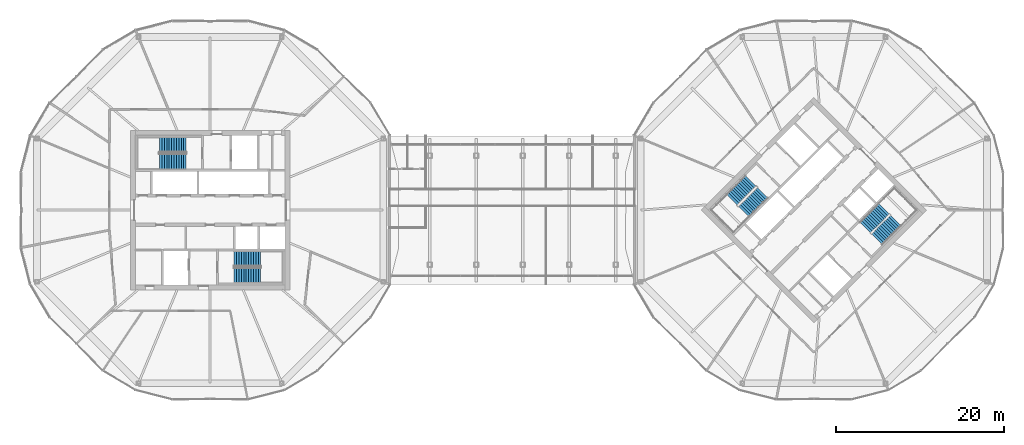
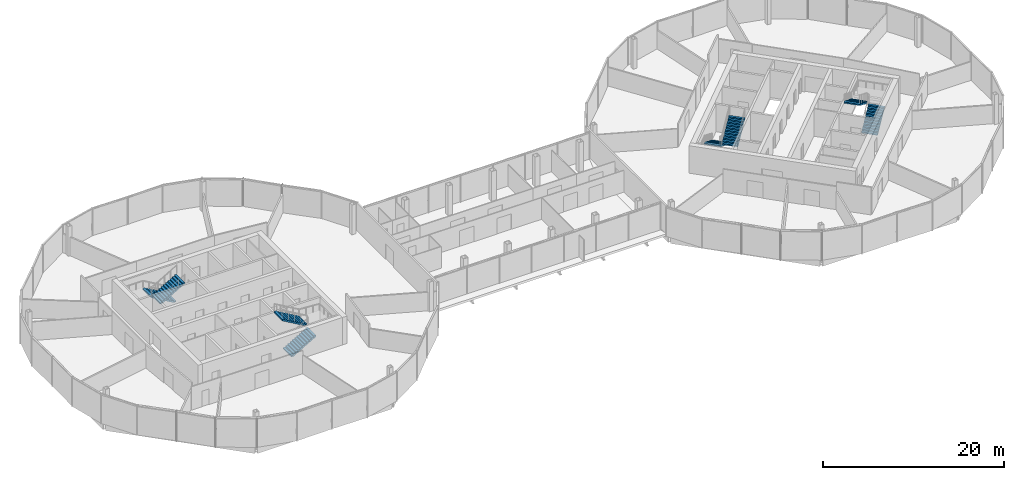
# One storey, part 24 of 25: 8 stair flights, 4 elements without a shape of their own.
"""IFC4 building model written with IfcOpenShell, lengths in metres."""

from ifc_helpers import new_model, si_unit, direction, frame, origin, place, context, subcontext, project, spatial, polyline, outline, extrude, material, type_object, element, aggregate, save


model = new_model("IFC4")

# Units and contexts
model_context = context("Model", 3, precision=1e-05, world=origin(), true_north=direction((0.0, 1.0)))
body_context = subcontext(model_context, "Body", "Model", "MODEL_VIEW")
ifc_project = project(units=[si_unit("LENGTHUNIT", "METRE"), si_unit("AREAUNIT", "SQUARE_METRE"), si_unit("VOLUMEUNIT", "CUBIC_METRE"), si_unit("PLANEANGLEUNIT", "RADIAN"), si_unit("MASSUNIT", "GRAM", prefix="KILO")], contexts=[model_context])

# Site, building, storey
site_placement = place(None, origin())
site = spatial("IfcSite", under=ifc_project, at=site_placement, CompositionType="ELEMENT")
building_placement = place(site_placement, origin())
building = spatial("IfcBuilding", under=site, at=building_placement, Name="Ogive Gate Towers", CompositionType="ELEMENT")
storey_placement = place(building_placement, frame((0.0, 0.0, 152.800048828125)))
storey = spatial("IfcBuildingStorey", under=building, at=storey_placement, Name="L36", CompositionType="ELEMENT", Elevation=152.800048828125)

# Stair, stair flights
ifc_material = material(Name="Concrete C40/50", Category="concrete")
stair_type = type_object("IfcStairType", Name="Escape stair 1840 wide", PredefinedType="HALF_TURN_STAIR", material=ifc_material)
stair_1_placement = place(storey_placement, origin())
stair_1 = element("IfcStair", 1, at=stair_1_placement, inside=storey, type_object=stair_type, Name="L36 Escape stair 1", PredefinedType="HALF_TURN_STAIR")
stair_flight_type = type_object("IfcStairFlightType", Name="Stair flight 1840 wide", PredefinedType="STRAIGHT", material=ifc_material)
stair_flight_1_placement = place(storey_placement, frame((-38.864990234375, 7.780029296875, 0.0), z_axis=(0.0, 0.0, 1.0), x_axis=(-1.0, 0.0, 0.0)))
stair_flight_1 = element("IfcStairFlight", 2, at=stair_flight_1_placement, type_object=stair_flight_type, Name="ST1 flight 1", NumberOfRisers=12, NumberOfTreads=11, PredefinedType="STRAIGHT", RiserHeight=0.166666667, TreadLength=0.2875, context=body_context, shape_type="SweptSolid", body=[
    extrude(outline(polyline([(0.0, 0.0), (0.0, 0.166748046875), (0.28759765625, 0.166748046875), (0.28759765625, 0.333251953125), (0.574951171875, 0.333251953125), (0.574951171875, 0.5), (0.862548828125, 0.5), (0.862548828125, 0.666748046875), (1.14990234375, 0.666748046875), (1.14990234375, 0.833251953125), (1.4375, 0.833251953125), (1.4375, 1.0), (1.72509765625, 1.0), (1.72509765625, 1.166748046875), (2.012451171875, 1.166748046875), (2.012451171875, 1.333251953125), (2.300048828125, 1.333251953125), (2.300048828125, 1.5), (2.58740234375, 1.5), (2.58740234375, 1.666748046875), (2.875, 1.666748046875), (2.875, 1.833251953125), (3.16259765625, 1.833251953125), (3.16259765625, 2.0), (3.16259765625, 1.66015625), (0.298828125, 0.0), (0.0, 0.0)])), frame((0.0, 0.919921875, 0.0), z_axis=(0.0, -1.0, 0.0), x_axis=(1.0, 0.0, 0.0)), (0.0, 0.0, 1.0), 1.840087890625),
])
stair_flight_2_placement = place(storey_placement, frame((-42.027587890625, 5.794921875, 2.0), z_axis=(0.0, 0.0, 1.0), x_axis=(1.0, 0.0, 0.0)))
stair_flight_2 = element("IfcStairFlight", 3, at=stair_flight_2_placement, type_object=stair_flight_type, Name="ST1 flight 2", NumberOfRisers=12, NumberOfTreads=11, PredefinedType="STRAIGHT", RiserHeight=0.166666667, TreadLength=0.2875, context=body_context, shape_type="SweptSolid", body=[
    extrude(outline(polyline([(0.0, 0.0), (0.0, 0.166748046875), (0.28759765625, 0.166748046875), (0.28759765625, 0.333251953125), (0.574951171875, 0.333251953125), (0.574951171875, 0.5), (0.862548828125, 0.5), (0.862548828125, 0.666748046875), (1.14990234375, 0.666748046875), (1.14990234375, 0.833251953125), (1.4375, 0.833251953125), (1.4375, 1.0), (1.72509765625, 1.0), (1.72509765625, 1.166748046875), (2.012451171875, 1.166748046875), (2.012451171875, 1.333251953125), (2.300048828125, 1.333251953125), (2.300048828125, 1.5), (2.58740234375, 1.5), (2.58740234375, 1.666748046875), (2.875, 1.666748046875), (2.875, 1.833251953125), (3.16259765625, 1.833251953125), (3.16259765625, 2.0), (3.16259765625, 1.66015625), (0.298828125, 0.0), (0.0, 0.0)])), frame((0.0, 0.919921875, 0.0), z_axis=(0.0, -1.0, 0.0), x_axis=(1.0, 0.0, 0.0)), (0.0, 0.0, 1.0), 1.840087890625),
])
aggregate(stair_1, [stair_flight_1, stair_flight_2])

stair_2_placement = place(storey_placement, origin())
stair_2 = element("IfcStair", 4, at=stair_2_placement, inside=storey, type_object=stair_type, Name="L36 Escape stair 2", PredefinedType="HALF_TURN_STAIR")
stair_flight_3_placement = place(storey_placement, frame((-33.135009765625, -7.780029296875, 0.0), z_axis=(0.0, 0.0, 1.0), x_axis=(1.0, 0.0, 0.0)))
stair_flight_3 = element("IfcStairFlight", 5, at=stair_flight_3_placement, type_object=stair_flight_type, Name="ST2 flight 1", NumberOfRisers=12, NumberOfTreads=11, PredefinedType="STRAIGHT", RiserHeight=0.166666667, TreadLength=0.2875, context=body_context, shape_type="SweptSolid", body=[
    extrude(outline(polyline([(0.0, 0.0), (0.0, 0.166748046875), (0.28759765625, 0.166748046875), (0.28759765625, 0.333251953125), (0.574951171875, 0.333251953125), (0.574951171875, 0.5), (0.862548828125, 0.5), (0.862548828125, 0.666748046875), (1.14990234375, 0.666748046875), (1.14990234375, 0.833251953125), (1.4375, 0.833251953125), (1.4375, 1.0), (1.72509765625, 1.0), (1.72509765625, 1.166748046875), (2.012451171875, 1.166748046875), (2.012451171875, 1.333251953125), (2.300048828125, 1.333251953125), (2.300048828125, 1.5), (2.58740234375, 1.5), (2.58740234375, 1.666748046875), (2.875, 1.666748046875), (2.875, 1.833251953125), (3.16259765625, 1.833251953125), (3.16259765625, 2.0), (3.16259765625, 1.66015625), (0.298828125, 0.0), (0.0, 0.0)])), frame((0.0, 0.919921875, 0.0), z_axis=(0.0, -1.0, 0.0), x_axis=(1.0, 0.0, 0.0)), (0.0, 0.0, 1.0), 1.840087890625),
])
stair_flight_4_placement = place(storey_placement, frame((-29.972412109375, -5.794921875, 2.0), z_axis=(0.0, 0.0, 1.0), x_axis=(-1.0, 0.0, 0.0)))
stair_flight_4 = element("IfcStairFlight", 6, at=stair_flight_4_placement, type_object=stair_flight_type, Name="ST2 flight 2", NumberOfRisers=12, NumberOfTreads=11, PredefinedType="STRAIGHT", RiserHeight=0.166666667, TreadLength=0.2875, context=body_context, shape_type="SweptSolid", body=[
    extrude(outline(polyline([(0.0, 0.0), (0.0, 0.166748046875), (0.28759765625, 0.166748046875), (0.28759765625, 0.333251953125), (0.574951171875, 0.333251953125), (0.574951171875, 0.5), (0.862548828125, 0.5), (0.862548828125, 0.666748046875), (1.14990234375, 0.666748046875), (1.14990234375, 0.833251953125), (1.4375, 0.833251953125), (1.4375, 1.0), (1.72509765625, 1.0), (1.72509765625, 1.166748046875), (2.012451171875, 1.166748046875), (2.012451171875, 1.333251953125), (2.300048828125, 1.333251953125), (2.300048828125, 1.5), (2.58740234375, 1.5), (2.58740234375, 1.666748046875), (2.875, 1.666748046875), (2.875, 1.833251953125), (3.16259765625, 1.833251953125), (3.16259765625, 2.0), (3.16259765625, 1.66015625), (0.298828125, 0.0), (0.0, 0.0)])), frame((0.0, 0.919921875, 0.0), z_axis=(0.0, -1.0, 0.0), x_axis=(1.0, 0.0, 0.0)), (0.0, 0.0, 1.0), 1.840087890625),
])
aggregate(stair_2, [stair_flight_3, stair_flight_4])

stair_3_placement = place(storey_placement, origin())
stair_3 = element("IfcStair", 7, at=stair_3_placement, inside=storey, type_object=stair_type, Name="L36 Escape stair 1", PredefinedType="HALF_TURN_STAIR")
stair_flight_5_placement = place(storey_placement, frame((28.472900390625, 3.475341796875, 0.0), z_axis=(0.0, 0.0, 1.0), x_axis=(-0.707106781187, -0.707106781187, 0.0)))
stair_flight_5 = element("IfcStairFlight", 8, at=stair_flight_5_placement, type_object=stair_flight_type, Name="ST1 flight 1", NumberOfRisers=12, NumberOfTreads=11, PredefinedType="STRAIGHT", RiserHeight=0.166666667, TreadLength=0.2875, context=body_context, shape_type="SweptSolid", body=[
    extrude(outline(polyline([(0.0, 0.0), (0.0, 0.166748046875), (0.28759765625, 0.166748046875), (0.28759765625, 0.333251953125), (0.574951171875, 0.333251953125), (0.574951171875, 0.5), (0.862548828125, 0.5), (0.862548828125, 0.666748046875), (1.14990234375, 0.666748046875), (1.14990234375, 0.833251953125), (1.4375, 0.833251953125), (1.4375, 1.0), (1.72509765625, 1.0), (1.72509765625, 1.166748046875), (2.012451171875, 1.166748046875), (2.012451171875, 1.333251953125), (2.300048828125, 1.333251953125), (2.300048828125, 1.5), (2.58740234375, 1.5), (2.58740234375, 1.666748046875), (2.875, 1.666748046875), (2.875, 1.833251953125), (3.16259765625, 1.833251953125), (3.16259765625, 2.0), (3.16259765625, 1.66015625), (0.298828125, 0.0), (0.0, 0.0)])), frame((0.0, 0.919921875, 0.0), z_axis=(0.0, -1.0, 0.0), x_axis=(1.0, 0.0, 0.0)), (0.0, 0.0, 1.0), 1.840087890625),
])
stair_flight_6_placement = place(storey_placement, frame((27.64013671875, -0.164306640625, 2.0), z_axis=(0.0, 0.0, 1.0), x_axis=(0.707106781187, 0.707106781187, 0.0)))
stair_flight_6 = element("IfcStairFlight", 9, at=stair_flight_6_placement, type_object=stair_flight_type, Name="ST1 flight 2", NumberOfRisers=12, NumberOfTreads=11, PredefinedType="STRAIGHT", RiserHeight=0.166666667, TreadLength=0.2875, context=body_context, shape_type="SweptSolid", body=[
    extrude(outline(polyline([(0.0, 0.0), (0.0, 0.166748046875), (0.28759765625, 0.166748046875), (0.28759765625, 0.333251953125), (0.574951171875, 0.333251953125), (0.574951171875, 0.5), (0.862548828125, 0.5), (0.862548828125, 0.666748046875), (1.14990234375, 0.666748046875), (1.14990234375, 0.833251953125), (1.4375, 0.833251953125), (1.4375, 1.0), (1.72509765625, 1.0), (1.72509765625, 1.166748046875), (2.012451171875, 1.166748046875), (2.012451171875, 1.333251953125), (2.300048828125, 1.333251953125), (2.300048828125, 1.5), (2.58740234375, 1.5), (2.58740234375, 1.666748046875), (2.875, 1.666748046875), (2.875, 1.833251953125), (3.16259765625, 1.833251953125), (3.16259765625, 2.0), (3.16259765625, 1.66015625), (0.298828125, 0.0), (0.0, 0.0)])), frame((0.0, 0.919921875, 0.0), z_axis=(0.0, -1.0, 0.0), x_axis=(1.0, 0.0, 0.0)), (0.0, 0.0, 1.0), 1.840087890625),
])
aggregate(stair_3, [stair_flight_5, stair_flight_6])

stair_4_placement = place(storey_placement, origin())
stair_4 = element("IfcStair", 10, at=stair_4_placement, inside=storey, type_object=stair_type, Name="L36 Escape stair 2", PredefinedType="HALF_TURN_STAIR")
stair_flight_7_placement = place(storey_placement, frame((43.527099609375, -3.475341796875, 0.0), z_axis=(0.0, 0.0, 1.0), x_axis=(0.707106781187, 0.707106781187, 0.0)))
stair_flight_7 = element("IfcStairFlight", 11, at=stair_flight_7_placement, type_object=stair_flight_type, Name="ST2 flight 1", NumberOfRisers=12, NumberOfTreads=11, PredefinedType="STRAIGHT", RiserHeight=0.166666667, TreadLength=0.2875, context=body_context, shape_type="SweptSolid", body=[
    extrude(outline(polyline([(0.0, 0.0), (0.0, 0.166748046875), (0.28759765625, 0.166748046875), (0.28759765625, 0.333251953125), (0.574951171875, 0.333251953125), (0.574951171875, 0.5), (0.862548828125, 0.5), (0.862548828125, 0.666748046875), (1.14990234375, 0.666748046875), (1.14990234375, 0.833251953125), (1.4375, 0.833251953125), (1.4375, 1.0), (1.72509765625, 1.0), (1.72509765625, 1.166748046875), (2.012451171875, 1.166748046875), (2.012451171875, 1.333251953125), (2.300048828125, 1.333251953125), (2.300048828125, 1.5), (2.58740234375, 1.5), (2.58740234375, 1.666748046875), (2.875, 1.666748046875), (2.875, 1.833251953125), (3.16259765625, 1.833251953125), (3.16259765625, 2.0), (3.16259765625, 1.66015625), (0.298828125, 0.0), (0.0, 0.0)])), frame((0.0, 0.919921875, 0.0), z_axis=(0.0, -1.0, 0.0), x_axis=(1.0, 0.0, 0.0)), (0.0, 0.0, 1.0), 1.840087890625),
])
stair_flight_8_placement = place(storey_placement, frame((44.35986328125, 0.164306640625, 2.0), z_axis=(0.0, 0.0, 1.0), x_axis=(-0.707106781187, -0.707106781187, 0.0)))
stair_flight_8 = element("IfcStairFlight", 12, at=stair_flight_8_placement, type_object=stair_flight_type, Name="ST2 flight 2", NumberOfRisers=12, NumberOfTreads=11, PredefinedType="STRAIGHT", RiserHeight=0.166666667, TreadLength=0.2875, context=body_context, shape_type="SweptSolid", body=[
    extrude(outline(polyline([(0.0, 0.0), (0.0, 0.166748046875), (0.28759765625, 0.166748046875), (0.28759765625, 0.333251953125), (0.574951171875, 0.333251953125), (0.574951171875, 0.5), (0.862548828125, 0.5), (0.862548828125, 0.666748046875), (1.14990234375, 0.666748046875), (1.14990234375, 0.833251953125), (1.4375, 0.833251953125), (1.4375, 1.0), (1.72509765625, 1.0), (1.72509765625, 1.166748046875), (2.012451171875, 1.166748046875), (2.012451171875, 1.333251953125), (2.300048828125, 1.333251953125), (2.300048828125, 1.5), (2.58740234375, 1.5), (2.58740234375, 1.666748046875), (2.875, 1.666748046875), (2.875, 1.833251953125), (3.16259765625, 1.833251953125), (3.16259765625, 2.0), (3.16259765625, 1.66015625), (0.298828125, 0.0), (0.0, 0.0)])), frame((0.0, 0.919921875, 0.0), z_axis=(0.0, -1.0, 0.0), x_axis=(1.0, 0.0, 0.0)), (0.0, 0.0, 1.0), 1.840087890625),
])
aggregate(stair_4, [stair_flight_7, stair_flight_8])

save(model, "model.ifc")
